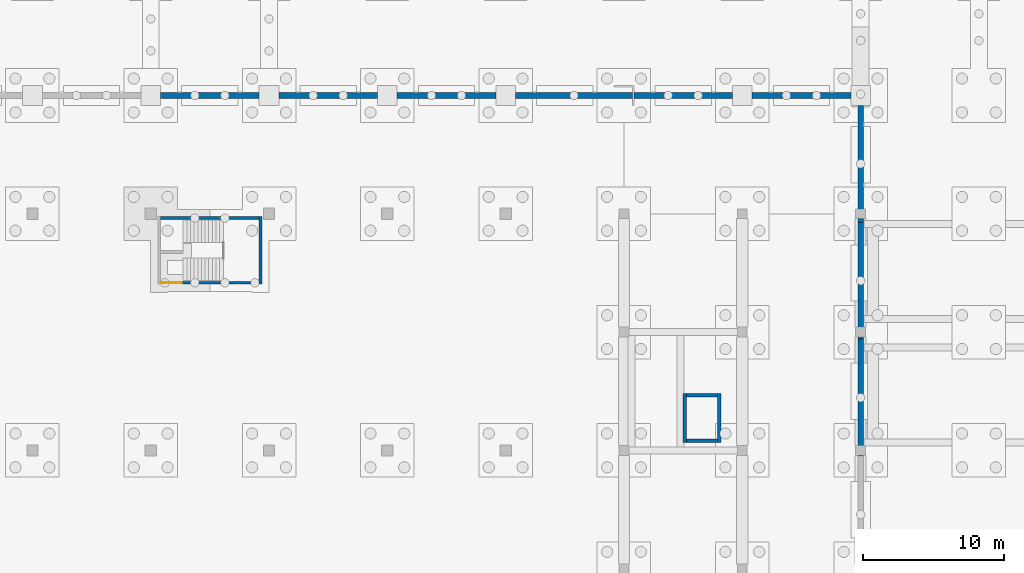
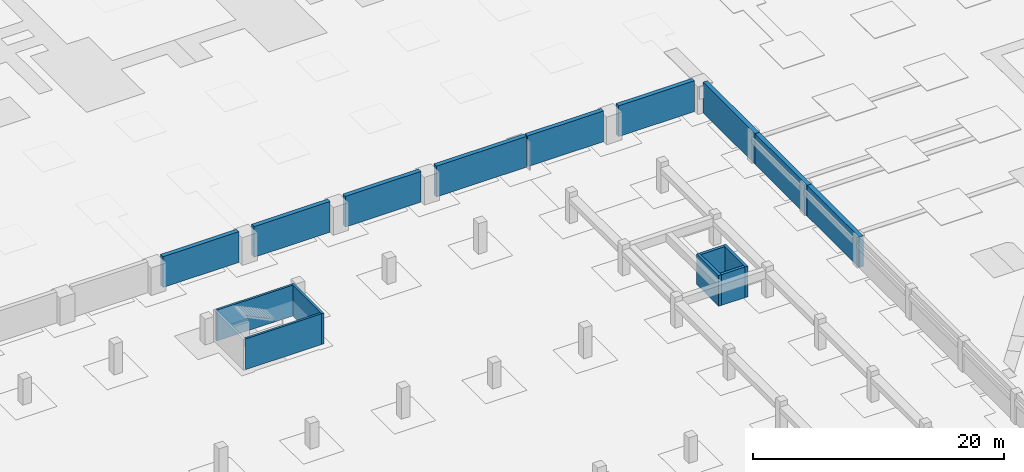
# One storey, part 40 of 67: 16 walls, 1 door, 1 opening.
"""IFC4 building model written with IfcOpenShell, lengths in metres."""

from ifc_helpers import new_model, si_unit, direction, frame, frame_2d, origin, place, context, subcontext, project, spatial, rectangle, extrude, material, layer, layer_set, type_object, element, fill, save


model = new_model("IFC4")

# Units and contexts
model_context = context("Model", 3, precision=1e-05, world=origin(), true_north=direction((0.0, 1.0)))
body_context = subcontext(model_context, "Body", "Model", "MODEL_VIEW")
ifc_project = project(units=[si_unit("LENGTHUNIT", "METRE"), si_unit("AREAUNIT", "SQUARE_METRE"), si_unit("VOLUMEUNIT", "CUBIC_METRE"), si_unit("PLANEANGLEUNIT", "RADIAN"), si_unit("MASSUNIT", "GRAM", prefix="KILO")], contexts=[model_context])

# Site, building, storey
site_placement = place(None, origin())
site = spatial("IfcSite", under=ifc_project, at=site_placement, CompositionType="ELEMENT")
building_placement = place(site_placement, origin())
building = spatial("IfcBuilding", under=site, at=building_placement, Name="Rain Tree Exposition and Congress Centre", CompositionType="ELEMENT")
storey_placement = place(building_placement, frame((0.0, 0.0, -3.0)))
storey = spatial("IfcBuildingStorey", under=building, at=storey_placement, Name="B1", CompositionType="ELEMENT", Elevation=-3.0)

# Walls
ifc_material_1 = material(Name="Concrete C40/50", Category="concrete")
ifc_layer_1 = layer(ifc_material_1, 0.25)
ifc_layer_set_1 = layer_set([ifc_layer_1], Name="Concrete C40/50")
wall_type_1 = type_object("IfcWallType", Name="Core wall 250", PredefinedType="SHEAR", material=ifc_layer_set_1)
for number, where, z_axis, x_axis, name in (
    (1, (155.52490234375, 50.949951171875, 0.0), (0.0, 0.0, 1.0), (0.0, 1.0, 0.0), "Lift G1 shaft wall west"),
    (2, (157.97509765625, 50.949951171875, 0.0), (0.0, 0.0, 1.0), (0.0, 1.0, 0.0), "Lift G1 shaft wall east"),
):
    element("IfcWall", number, at=place(storey_placement, frame(where, z_axis=z_axis, x_axis=x_axis)), inside=storey, type_object=wall_type_1, Name=name, PredefinedType="SHEAR", context=body_context, shape_type="SweptSolid", body=[
        extrude(rectangle(XDim=3.5, YDim=0.25, at=frame_2d((1.75, 0.0))), origin(), (0.0, 0.0, 1.0), 3.0),
    ])
for number, where, z_axis, x_axis, name in (
    (3, (155.64990234375, 51.074951171875, 0.0), (0.0, 0.0, 1.0), (1.0, 0.0, 0.0), "Lift G1 shaft wall south"),
    (4, (155.64990234375, 54.324951171875, 0.0), (0.0, 0.0, 1.0), (1.0, 0.0, 0.0), "Lift G1 shaft wall north"),
):
    element("IfcWall", number, at=place(storey_placement, frame(where, z_axis=z_axis, x_axis=x_axis)), inside=storey, type_object=wall_type_1, Name=name, PredefinedType="SHEAR", context=body_context, shape_type="SweptSolid", body=[
        extrude(rectangle(XDim=2.2001953125, YDim=0.25, at=frame_2d((1.10009765625, 0.0))), origin(), (0.0, 0.0, 1.0), 3.0),
    ])
ifc_material_2 = material(Name="Concrete C40/50", Category="concrete")
ifc_layer_2 = layer(ifc_material_2, 0.199951171875)
ifc_layer_set_2 = layer_set([ifc_layer_2], Name="Concrete C40/50")
wall_type_2 = type_object("IfcWallType", Name="Exit stair wall 200", PredefinedType="PARTITIONING", material=ifc_layer_set_2)
wall_1_placement = place(storey_placement, frame((125.39990234375, 62.199951171875, 0.0), z_axis=(0.0, 0.0, 1.0), x_axis=(0.0, 1.0, 0.0)))
element("IfcWall", 5, at=wall_1_placement, inside=storey, type_object=wall_type_2, Name="Exit stair E4 wall east", PredefinedType="SOLIDWALL", context=body_context, shape_type="SweptSolid", body=[
    extrude(rectangle(XDim=4.800048828125, YDim=0.199951171875, at=frame_2d((2.39990234375, 0.0))), origin(), (0.0, 0.0, 1.0), 3.0),
])

# Wall, opening, door
wall_2_placement = place(storey_placement, frame((118.300048828125, 62.300048828125, 0.0), z_axis=(0.0, 0.0, 1.0), x_axis=(1.0, 0.0, 0.0)))
wall_2 = element("IfcWall", 6, at=wall_2_placement, inside=storey, type_object=wall_type_2, Name="Exit stair E4 wall south", PredefinedType="SOLIDWALL", context=body_context, shape_type="SweptSolid", body=[
    extrude(rectangle(XDim=7.0, YDim=0.199951171875, at=frame_2d((3.5, 0.0))), origin(), (0.0, 0.0, 1.0), 3.0),
])
opening_placement = place(wall_2_placement, origin())
opening = element("IfcOpeningElement", 7, at=opening_placement, cuts=wall_2, Name="Opening DS135", PredefinedType="OPENING", context=body_context, shape_type="SweptSolid", body=[
    extrude(rectangle(XDim=1.5, YDim=2.10009765625, at=frame_2d((0.75, 1.050048828125))), frame((0.0, 0.10009765625, 0.0), z_axis=(0.0, -1.0, 0.0), x_axis=(1.0, 0.0, 0.0)), (0.0, 0.0, 1.0), 0.199951171875),
])
ifc_material_3 = material(Name="Powder-coated steel", Category="steel")
door_type = type_object("IfcDoorType", Name="Exit stair door 1500x2100", OperationType="NOTDEFINED", PredefinedType="DOOR", material=ifc_material_3)
door_placement = place(opening_placement, origin())
door = element("IfcDoor", 8, at=door_placement, inside=storey, type_object=door_type, Name="Exit stair E4 door B1", OperationType="SINGLE_SWING_LEFT", OverallHeight=2.10009765625, OverallWidth=1.5, PredefinedType="DOOR", context=body_context, shape_type="SweptSolid", body=[
    extrude(rectangle(XDim=1.5, YDim=2.10009765625, at=frame_2d((0.75, 1.050048828125))), frame((0.0, 0.02490234375, 0.0), z_axis=(0.0, -1.0, 0.0), x_axis=(1.0, 0.0, 0.0)), (0.0, 0.0, 1.0), 0.050048828125),
])
fill(opening, door)

# Walls
wall_3_placement = place(storey_placement, frame((118.300048828125, 66.89990234375, 0.0), z_axis=(0.0, 0.0, 1.0), x_axis=(1.0, 0.0, 0.0)))
element("IfcWall", 9, at=wall_3_placement, inside=storey, type_object=wall_type_2, Name="Exit stair E4 wall north", PredefinedType="SOLIDWALL", context=body_context, shape_type="SweptSolid", body=[
    extrude(rectangle(XDim=7.0, YDim=0.199951171875, at=frame_2d((3.5, 0.0))), origin(), (0.0, 0.0, 1.0), 3.0),
])
ifc_material_4 = material(Name="Concrete C40/50", Category="concrete")
ifc_layer_3 = layer(ifc_material_4, 0.39990234375)
ifc_layer_set_3 = layer_set([ifc_layer_3], Name="Concrete C40/50")
wall_type_3 = type_object("IfcWallType", Name="Precast retaining wall 400", PredefinedType="SOLIDWALL", material=ifc_layer_set_3)
for number, where, z_axis, x_axis, name in (
    (10, (168.0, 50.0, 0.0), (0.0, 0.0, 1.0), (0.0, 1.0, 0.0), "Retaining wall 007"),
    (11, (168.0, 58.300048828125, 0.0), (0.0, 0.0, 1.0), (0.0, 1.0, 0.0), "Retaining wall 008"),
):
    element("IfcWall", number, at=place(storey_placement, frame(where, z_axis=z_axis, x_axis=x_axis)), inside=storey, type_object=wall_type_3, Name=name, PredefinedType="SOLIDWALL", context=body_context, shape_type="SweptSolid", body=[
        extrude(rectangle(XDim=8.300048828125, YDim=0.39990234375, at=frame_2d((4.14990234375, 0.0))), origin(), (0.0, 0.0, 1.0), 3.0),
    ])
wall_4_placement = place(storey_placement, frame((168.0, 66.60009765625, 0.0), z_axis=(0.0, 0.0, 1.0), x_axis=(0.0, 1.0, 0.0)))
element("IfcWall", 12, at=wall_4_placement, inside=storey, type_object=wall_type_3, Name="Retaining wall 009", PredefinedType="SOLIDWALL", context=body_context, shape_type="SweptSolid", body=[
    extrude(rectangle(XDim=8.2998046875, YDim=0.39990234375, at=frame_2d((4.14990234375, 0.0))), origin(), (0.0, 0.0, 1.0), 3.0),
])
for number, where, z_axis, x_axis, name in (
    (13, (167.300048828125, 75.60009765625, 0.0), (0.0, 0.0, 1.0), (-1.0, 0.0, 0.0), "Retaining wall 010"),
    (14, (158.89990234375, 75.60009765625, 0.0), (0.0, 0.0, 1.0), (-1.0, 0.0, 0.0), "Retaining wall 011"),
):
    element("IfcWall", number, at=place(storey_placement, frame(where, z_axis=z_axis, x_axis=x_axis)), inside=storey, type_object=wall_type_3, Name=name, PredefinedType="SOLIDWALL", context=body_context, shape_type="SweptSolid", body=[
        extrude(rectangle(XDim=7.0, YDim=0.39990234375, at=frame_2d((3.5, 0.0))), origin(), (0.0, 0.0, 1.0), 3.0),
    ])
wall_5_placement = place(storey_placement, frame((151.800048828125, 75.60009765625, 0.0), z_axis=(0.0, 0.0, 1.0), x_axis=(-1.0, 0.0, 0.0)))
element("IfcWall", 15, at=wall_5_placement, inside=storey, type_object=wall_type_3, Name="Retaining wall 012", PredefinedType="SOLIDWALL", context=body_context, shape_type="SweptSolid", body=[
    extrude(rectangle(XDim=8.300048828125, YDim=0.39990234375, at=frame_2d((4.14990234375, 0.0))), origin(), (0.0, 0.0, 1.0), 3.0),
])
for number, where, z_axis, x_axis, name in (
    (16, (142.10009765625, 75.60009765625, 0.0), (0.0, 0.0, 1.0), (-1.0, 0.0, 0.0), "Retaining wall 013"),
    (17, (133.699951171875, 75.60009765625, 0.0), (0.0, 0.0, 1.0), (-1.0, 0.0, 0.0), "Retaining wall 014"),
    (18, (125.300048828125, 75.60009765625, 0.0), (0.0, 0.0, 1.0), (-1.0, 0.0, 0.0), "Retaining wall 015"),
):
    element("IfcWall", number, at=place(storey_placement, frame(where, z_axis=z_axis, x_axis=x_axis)), inside=storey, type_object=wall_type_3, Name=name, PredefinedType="SOLIDWALL", context=body_context, shape_type="SweptSolid", body=[
        extrude(rectangle(XDim=7.0, YDim=0.39990234375, at=frame_2d((3.5, 0.0))), origin(), (0.0, 0.0, 1.0), 3.0),
    ])

save(model, "model.ifc")
